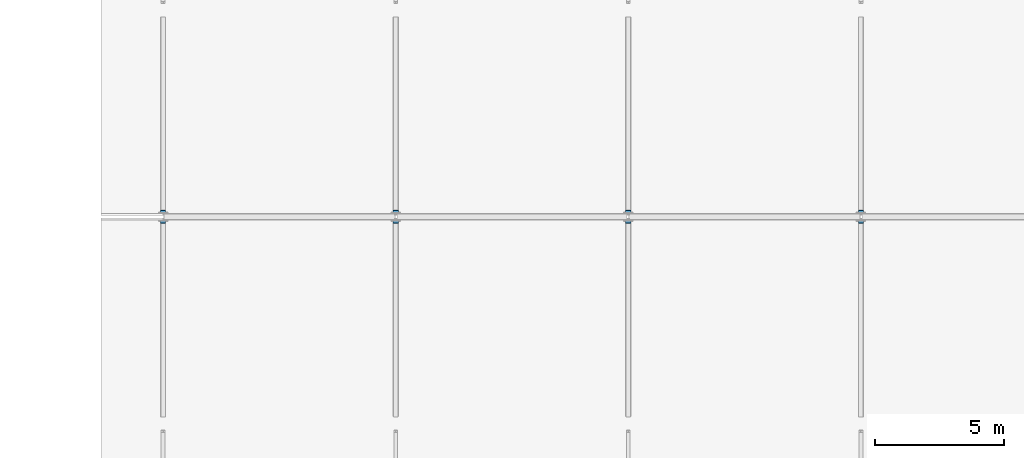
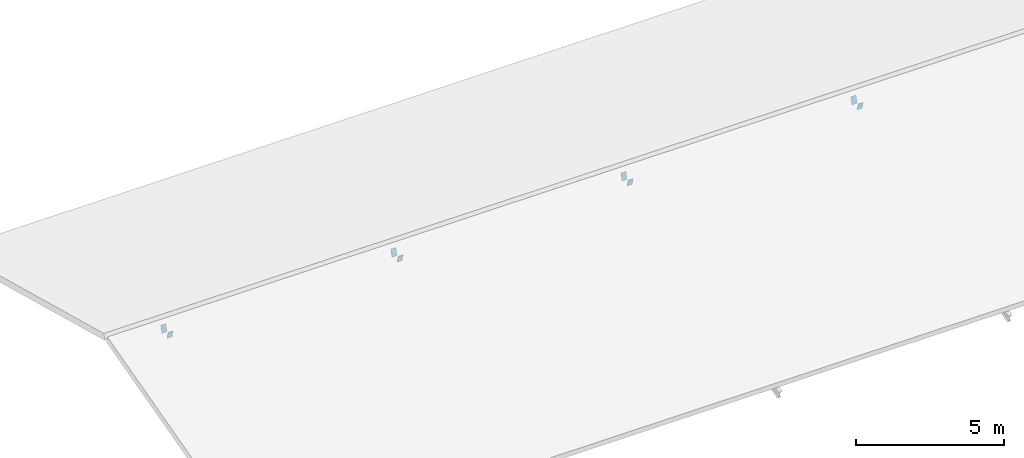
# One storey, part 63 of 71: 8 discrete accessories.
"""IFC4 building model written with IfcOpenShell, lengths in metres."""

from ifc_helpers import new_model, si_unit, derived_unit, direction, frame, origin, origin_2d, place, context, subcontext, project, spatial, rectangle, extrude, material, type_object, element, save


model = new_model("IFC4")

# Units and contexts
model_context = context("Model", 3, precision=1e-05, world=origin(), true_north=direction((0.0, 1.0)))
body_context = subcontext(model_context, "Body", "Model", "MODEL_VIEW")
ifc_project = project(units=[si_unit("LENGTHUNIT", "METRE"), si_unit("AREAUNIT", "SQUARE_METRE"), si_unit("VOLUMEUNIT", "CUBIC_METRE"), si_unit("PLANEANGLEUNIT", "RADIAN"), si_unit("MASSUNIT", "GRAM", prefix="KILO"), derived_unit("THERMALTRANSMITTANCEUNIT", [(si_unit("MASSUNIT", "GRAM", prefix="KILO"), 1), (si_unit("TIMEUNIT", "SECOND"), -3), (si_unit("THERMODYNAMICTEMPERATUREUNIT", "KELVIN"), -1)])], contexts=[model_context])

# Site, building, storey
site_placement = place(None, origin())
site = spatial("IfcSite", under=ifc_project, at=site_placement, CompositionType="ELEMENT")
building_placement = place(site_placement, origin())
building = spatial("IfcBuilding", under=site, at=building_placement, Name="Zhenchuan Archway Interchange", CompositionType="ELEMENT")
storey_placement = place(building_placement, frame((0.0, 0.0, 18.60009765625)))
storey = spatial("IfcBuildingStorey", under=building, at=storey_placement, Name="L04", CompositionType="ELEMENT", Elevation=18.60009765625)

# Discrete accessories
ifc_material = material(Name="Steel Q355", Category="steel")
discrete_accessory_type = type_object("IfcDiscreteAccessoryType", Name="CAP_MB_RHS300", PredefinedType="USERDEFINED", material=ifc_material)
for number, where, z_axis, x_axis, name in (
    (1, (108.0, 15.780029296875, 1.85986328125), (0.0, 0.964763821238, 0.263117405792), (-1.0, 0.0, 0.0), "End plate at the end of Courtyard S-arm rafter X108-1"),
    (2, (108.0, 16.19580078125, 1.866455078125), (0.0, 0.964763821238, -0.263117405792), (-1.0, 0.0, 0.0), "End plate at the start of Courtyard S-arm rafter X108-2"),
    (3, (117.0, 15.780029296875, 1.85986328125), (0.0, 0.964763821238, 0.263117405792), (-1.0, 0.0, 0.0), "End plate at the end of Courtyard S-arm rafter X117-1"),
    (4, (117.0, 16.19580078125, 1.866455078125), (0.0, 0.964763821238, -0.263117405792), (-1.0, 0.0, 0.0), "End plate at the start of Courtyard S-arm rafter X117-2"),
    (5, (126.0, 15.780029296875, 1.85986328125), (0.0, 0.964763821238, 0.263117405792), (-1.0, 0.0, 0.0), "End plate at the end of Courtyard S-arm rafter X126-1"),
    (6, (126.0, 16.19580078125, 1.866455078125), (0.0, 0.964763821238, -0.263117405792), (-1.0, 0.0, 0.0), "End plate at the start of Courtyard S-arm rafter X126-2"),
    (7, (135.0, 15.780029296875, 1.85986328125), (0.0, 0.964763821238, 0.263117405792), (-1.0, 0.0, 0.0), "End plate at the end of Courtyard S-arm rafter X135-1"),
    (8, (135.0, 16.19580078125, 1.866455078125), (0.0, 0.964763821238, -0.263117405792), (-1.0, 0.0, 0.0), "End plate at the start of Courtyard S-arm rafter X135-2"),
):
    element("IfcDiscreteAccessory", number, at=place(storey_placement, frame(where, z_axis=z_axis, x_axis=x_axis)), inside=storey, type_object=discrete_accessory_type, Name=name, ObjectType="END PLATE", PredefinedType="USERDEFINED", context=body_context, shape_type="SweptSolid", body=[
        extrude(rectangle(XDim=0.199951171875, YDim=0.300048828125, at=origin_2d()), origin(), (0.0, 0.0, 1.0), 0.025146484375),
    ])

save(model, "model.ifc")
